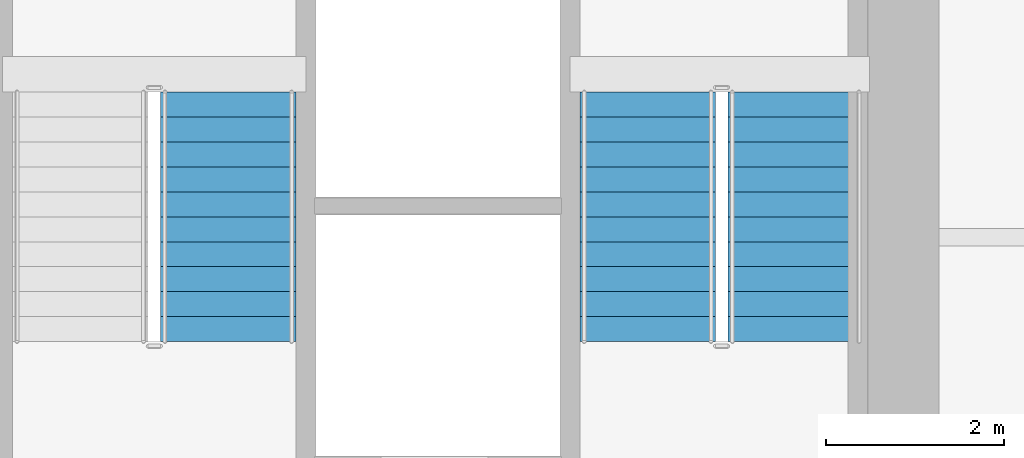
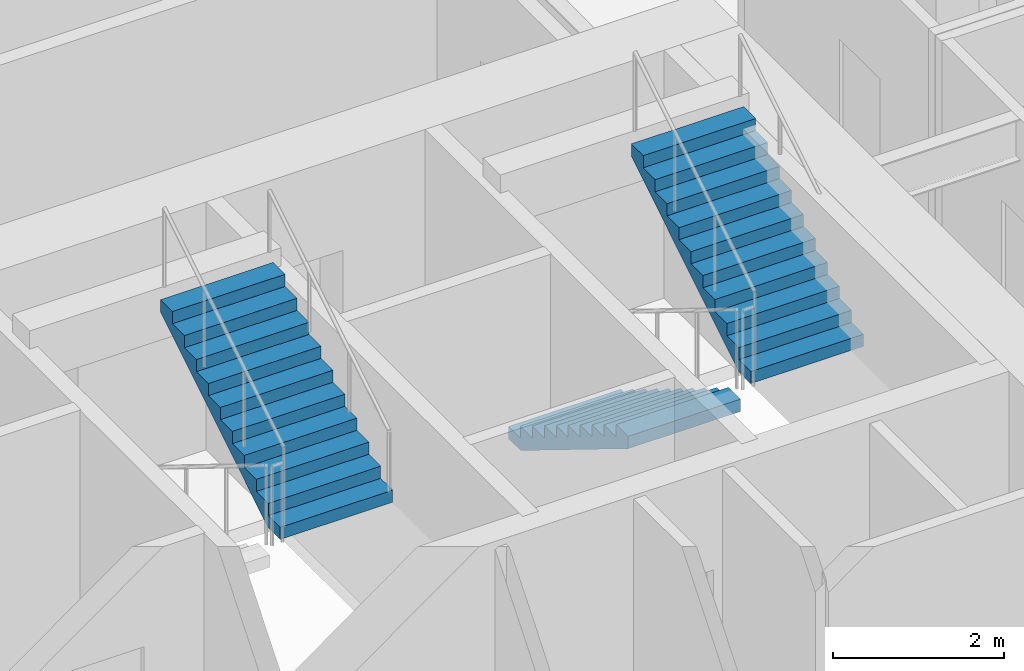
# One storey, part 14 of 19: 3 stair flights, 2 elements without a shape of their own.
"""IFC4 building model written with IfcOpenShell, lengths in metres."""

import ifcopenshell
import ifcopenshell.guid

model = None  # the IFC model being written
_history = None  # IfcOwnerHistory: only IFC2X3 demands one
_inside = {}  # id of a spatial element -> (the spatial element, [elements in it])
_under = {}  # id of a project, library or spatial element -> (it, [spatial elements below it])
_declared = {}  # id of a project -> (the project, [libraries it declares])
_typed = {}  # id of a type object -> (the type object, [elements of that type])
_made_of = {}  # id of a material, layer set ... -> (it, [elements and type objects made of it])


def new_model(schema):
    """Start an empty IFC model of exactly this schema.

    Asked for "IFC4X3", IfcOpenShell would pick the latest addendum, in which some entities
    have other attributes; the version numbers below select the first issue.
    IFC2X3 requires an IfcOwnerHistory on every rooted entity: one is made here for all.
    """
    global model, _history
    if schema == "IFC4X3":
        model = ifcopenshell.file(schema_version=(4, 3, 0, 0))
    else:
        model = ifcopenshell.file(schema=schema)
    _inside.clear()
    _under.clear()
    _declared.clear()
    _typed.clear()
    _made_of.clear()
    _history = None
    if model.schema == "IFC2X3":
        org = make("IfcOrganization", Name="unknown")
        user = make(
            "IfcPersonAndOrganization",
            ThePerson=make("IfcPerson", FamilyName="unknown"),
            TheOrganization=org,
        )
        app = make(
            "IfcApplication",
            ApplicationDeveloper=org,
            Version="unknown",
            ApplicationFullName="unknown",
            ApplicationIdentifier="unknown",
        )
        _history = make(
            "IfcOwnerHistory",
            OwningUser=user,
            OwningApplication=app,
            ChangeAction="ADDED",
            CreationDate=0,
        )
    return model


def make(cls, **values):
    """One entity of the class cls with the attributes given. An attribute that is None is left unset."""
    return model.create_entity(
        cls, **{name: value for name, value in values.items() if value is not None}
    )


def rooted(cls, **values):
    """An entity with a GlobalId (a new one), such as an element, a storey or a relation."""
    return make(cls, GlobalId=ifcopenshell.guid.new(), OwnerHistory=_history, **values)


def si_unit(unit_type, name, prefix=None):
    """IfcSIUnit, for example si_unit("LENGTHUNIT", "METRE", prefix="MILLI")."""
    return make("IfcSIUnit", UnitType=unit_type, Prefix=prefix, Name=name)


def assignment(units):
    """IfcUnitAssignment: the units of a project."""
    return None if units is None else make("IfcUnitAssignment", Units=units)


def point(xyz):
    """IfcCartesianPoint."""
    return None if xyz is None else make("IfcCartesianPoint", Coordinates=xyz)


def direction(xyz):
    """IfcDirection."""
    return None if xyz is None else make("IfcDirection", DirectionRatios=xyz)


def frame(location, z_axis=None, x_axis=None):
    """IfcAxis2Placement3D, a coordinate frame: its origin and axes. An axis left out is left unset."""
    return make(
        "IfcAxis2Placement3D",
        Location=point(location),
        Axis=direction(z_axis),
        RefDirection=direction(x_axis),
    )


def origin():
    """The frame at (0, 0, 0) with its axes left unset."""
    return frame((0.0, 0.0, 0.0))


def place(relative_to, where):
    """IfcLocalPlacement: puts the frame where relative to a parent placement (None: the world)."""
    return make(
        "IfcLocalPlacement", PlacementRelTo=relative_to, RelativePlacement=where
    )


def context(
    kind, dimensions, precision=None, world=None, true_north=None, identifier=None
):
    """IfcGeometricRepresentationContext, for example the 3D "Model" context."""
    return make(
        "IfcGeometricRepresentationContext",
        ContextIdentifier=identifier,
        ContextType=kind,
        CoordinateSpaceDimension=dimensions,
        Precision=precision,
        WorldCoordinateSystem=world,
        TrueNorth=true_north,
    )


def subcontext(parent, identifier, kind, view, scale=None):
    """IfcGeometricRepresentationSubContext, for example "Body" below "Model"."""
    return make(
        "IfcGeometricRepresentationSubContext",
        ContextIdentifier=identifier,
        ContextType=kind,
        ParentContext=parent,
        TargetScale=scale,
        TargetView=view,
    )


def project(units=None, contexts=None):
    """IfcProject with its units and contexts."""
    return rooted(
        "IfcProject",
        Name="project",
        RepresentationContexts=contexts,
        UnitsInContext=assignment(units),
    )


def spatial(cls, under=None, at=None, **own):
    """A site, building, storey or space (cls), placed at a placement, below another one or the project."""
    s = rooted(cls, ObjectPlacement=at, **own)
    if under is not None:
        _under.setdefault(under.id(), (under, []))[1].append(s)
    return s


def polyline(points):
    """IfcPolyline through the points."""
    return make("IfcPolyline", Points=[point(p) for p in points])


def outline(outer, holes=None, kind="AREA"):
    """IfcArbitraryClosedProfileDef: a profile drawn as a closed curve; with holes, ...WithVoids."""
    if holes is None:
        return make("IfcArbitraryClosedProfileDef", ProfileType=kind, OuterCurve=outer)
    return make(
        "IfcArbitraryProfileDefWithVoids",
        ProfileType=kind,
        OuterCurve=outer,
        InnerCurves=holes,
    )


def extrude(swept, where, along, depth):
    """IfcExtrudedAreaSolid: the profile swept, set in the frame where, extruded along a direction by depth."""
    return make(
        "IfcExtrudedAreaSolid",
        SweptArea=swept,
        Position=where,
        ExtrudedDirection=direction(along),
        Depth=depth,
    )


def shape(context_of_items, identifier, shape_type, items):
    """IfcShapeRepresentation: the items that make up one representation, for example the "Body"."""
    return make(
        "IfcShapeRepresentation",
        ContextOfItems=context_of_items,
        RepresentationIdentifier=identifier,
        RepresentationType=shape_type,
        Items=items,
    )


def material(Name=None, Category=None):
    """IfcMaterial."""
    return make("IfcMaterial", Name=Name, Category=Category)


def made_of(thing, what):
    """Note that an element or type object is made of a material, layer set ...; save() writes the relation."""
    if what is not None:
        _made_of.setdefault(what.id(), (what, []))[1].append(thing)
    return thing


def type_object(cls, material=None, **own):
    """A type object (cls), such as IfcWallType, which elements share."""
    return made_of(rooted(cls, **own), material)


def element(
    cls,
    number,
    at=None,
    inside=None,
    cuts=None,
    type_object=None,
    material=None,
    context=None,
    identifier="Body",
    shape_type=None,
    held_by="IfcProductDefinitionShape",
    body=None,
    shapes=None,
    **own,
):
    """One element of the class cls, such as IfcWall. Its Tag is "e" and its number.

    at: its placement. inside: the storey or other place that contains it. cuts: it is an
    opening in that element (IfcRelVoidsElement). A single representation is given by context,
    identifier, shape_type and body (its items); several are given by shapes. held_by: the class
    of the entity that holds the representations. save() writes the other relations.
    """
    e = rooted(cls, Tag="e%d" % number, ObjectPlacement=at, **own)
    if body is not None:
        shapes = [shape(context, identifier, shape_type, body)]
    if shapes is not None:
        e.Representation = make(held_by, Representations=shapes)
    if inside is not None:
        _inside.setdefault(inside.id(), (inside, []))[1].append(e)
    if cuts is not None:
        rooted(
            "IfcRelVoidsElement", RelatingBuildingElement=cuts, RelatedOpeningElement=e
        )
    if type_object is not None:
        _typed.setdefault(type_object.id(), (type_object, []))[1].append(e)
    return made_of(e, material)


def aggregate(whole, parts):
    """IfcRelAggregates: a whole, such as a stair, and the parts it consists of."""
    return rooted("IfcRelAggregates", RelatingObject=whole, RelatedObjects=parts)


def save(model, path):
    """Write the relations noted so far, then the file.

    IfcRelAggregates (storeys below a building ...), IfcRelContainedInSpatialStructure (elements
    in a storey), IfcRelDefinesByType, IfcRelAssociatesMaterial and IfcRelDeclares: one each for
    every whole, place, type object, material and project.
    """
    for whole, parts in _under.values():
        aggregate(whole, parts)
    for where, things in _inside.values():
        rooted(
            "IfcRelContainedInSpatialStructure",
            RelatedElements=things,
            RelatingStructure=where,
        )
    for kind, things in _typed.values():
        rooted("IfcRelDefinesByType", RelatedObjects=things, RelatingType=kind)
    for what, things in _made_of.values():
        rooted("IfcRelAssociatesMaterial", RelatedObjects=things, RelatingMaterial=what)
    for by, libraries in _declared.values():
        rooted("IfcRelDeclares", RelatingContext=by, RelatedDefinitions=libraries)
    model.write(path)


model = new_model("IFC4")

# Units and contexts
model_context = context("Model", 3, precision=1e-05, world=origin(), true_north=direction((0.0, 1.0)))
body_context = subcontext(model_context, "Body", "Model", "MODEL_VIEW")
ifc_project = project(units=[si_unit("LENGTHUNIT", "METRE"), si_unit("AREAUNIT", "SQUARE_METRE"), si_unit("VOLUMEUNIT", "CUBIC_METRE"), si_unit("PLANEANGLEUNIT", "RADIAN"), si_unit("MASSUNIT", "GRAM", prefix="KILO")], contexts=[model_context])

# Site, building, storey
site_placement = place(None, origin())
site = spatial("IfcSite", under=ifc_project, at=site_placement, CompositionType="ELEMENT")
building_placement = place(site_placement, origin())
building = spatial("IfcBuilding", under=site, at=building_placement, Name="Haolan Belvedere Tower", CompositionType="ELEMENT")
storey_placement = place(building_placement, frame((0.0, 0.0, 39.199951171875)))
storey = spatial("IfcBuildingStorey", under=building, at=storey_placement, Name="L09", CompositionType="ELEMENT", Elevation=39.199951171875)

# Stair, stair flight
ifc_material = material(Name="Concrete C40/50", Category="concrete")
stair_type = type_object("IfcStairType", Name="STR-DL-22R-173", PredefinedType="HALF_TURN_STAIR", material=ifc_material)
stair_1_placement = place(storey_placement, origin())
stair_1 = element("IfcStair", 1, at=stair_1_placement, inside=storey, type_object=stair_type, Name="L09 Smokeproof Core Exit Stair ST3", PredefinedType="HALF_TURN_STAIR")
stair_flight_type = type_object("IfcStairFlightType", Name="SFL-DL-11R-173", PredefinedType="STRAIGHT", material=ifc_material)
stair_flight_1_placement = place(storey_placement, frame((39.22998046875, 38.429931640625, 1.900146484375), z_axis=(0.0, 0.0, 1.0), x_axis=(0.0, 1.0, 0.0)))
stair_flight_1 = element("IfcStairFlight", 2, at=stair_flight_1_placement, type_object=stair_flight_type, Name="ST3 flight 2", NumberOfRisers=11, NumberOfTreads=10, PredefinedType="STRAIGHT", RiserHeight=0.172727273, TreadLength=0.28, context=body_context, shape_type="SweptSolid", body=[
    extrude(outline(polyline([(0.0, 0.0), (0.0, 0.172607421875), (0.280029296875, 0.172607421875), (0.280029296875, 0.345458984375), (0.56005859375, 0.345458984375), (0.56005859375, 0.51806640625), (0.840087890625, 0.51806640625), (0.840087890625, 0.69091796875), (1.1201171875, 0.69091796875), (1.1201171875, 0.863525390625), (1.39990234375, 0.863525390625), (1.39990234375, 1.036376953125), (1.679931640625, 1.036376953125), (1.679931640625, 1.208984375), (1.9599609375, 1.208984375), (1.9599609375, 1.3818359375), (2.239990234375, 1.3818359375), (2.239990234375, 1.554443359375), (2.52001953125, 1.554443359375), (2.52001953125, 1.727294921875), (2.800048828125, 1.727294921875), (2.800048828125, 1.89990234375), (2.800048828125, 1.551025390625), (0.285400390625, 0.0), (0.0, 0.0)])), frame((0.0, 0.760009765625, 0.0), z_axis=(0.0, -1.0, 0.0), x_axis=(1.0, 0.0, 0.0)), (0.0, 0.0, 1.0), 1.52001953125),
])
aggregate(stair_1, [stair_flight_1])

# Stair, stair flights
stair_2_placement = place(storey_placement, origin())
stair_2 = element("IfcStair", 3, at=stair_2_placement, inside=storey, type_object=stair_type, Name="L09 Smokeproof Core Exit Stair ST2", PredefinedType="HALF_TURN_STAIR")
stair_flight_2_placement = place(storey_placement, frame((43.929931640625, 41.22998046875, 0.0), z_axis=(0.0, 0.0, 1.0), x_axis=(0.0, -1.0, 0.0)))
stair_flight_2 = element("IfcStairFlight", 4, at=stair_flight_2_placement, type_object=stair_flight_type, Name="ST2 flight 1", NumberOfRisers=11, NumberOfTreads=10, PredefinedType="STRAIGHT", RiserHeight=0.172727273, TreadLength=0.28, context=body_context, shape_type="SweptSolid", body=[
    extrude(outline(polyline([(0.0, 0.0), (0.0, 0.172607421875), (0.280029296875, 0.172607421875), (0.280029296875, 0.345458984375), (0.56005859375, 0.345458984375), (0.56005859375, 0.51806640625), (0.840087890625, 0.51806640625), (0.840087890625, 0.69091796875), (1.1201171875, 0.69091796875), (1.1201171875, 0.863525390625), (1.39990234375, 0.863525390625), (1.39990234375, 1.036376953125), (1.679931640625, 1.036376953125), (1.679931640625, 1.208984375), (1.9599609375, 1.208984375), (1.9599609375, 1.3818359375), (2.239990234375, 1.3818359375), (2.239990234375, 1.554443359375), (2.52001953125, 1.554443359375), (2.52001953125, 1.727294921875), (2.800048828125, 1.727294921875), (2.800048828125, 1.89990234375), (2.800048828125, 1.551025390625), (0.285400390625, 0.0), (0.0, 0.0)])), frame((0.0, 0.760009765625, 0.0), z_axis=(0.0, -1.0, 0.0), x_axis=(1.0, 0.0, 0.0)), (0.0, 0.0, 1.0), 1.52001953125),
])
stair_flight_3_placement = place(storey_placement, frame((45.590087890625, 38.429931640625, 1.900146484375), z_axis=(0.0, 0.0, 1.0), x_axis=(0.0, 1.0, 0.0)))
stair_flight_3 = element("IfcStairFlight", 5, at=stair_flight_3_placement, type_object=stair_flight_type, Name="ST2 flight 2", NumberOfRisers=11, NumberOfTreads=10, PredefinedType="STRAIGHT", RiserHeight=0.172727273, TreadLength=0.28, context=body_context, shape_type="SweptSolid", body=[
    extrude(outline(polyline([(0.0, 0.0), (0.0, 0.172607421875), (0.280029296875, 0.172607421875), (0.280029296875, 0.345458984375), (0.56005859375, 0.345458984375), (0.56005859375, 0.51806640625), (0.840087890625, 0.51806640625), (0.840087890625, 0.69091796875), (1.1201171875, 0.69091796875), (1.1201171875, 0.863525390625), (1.39990234375, 0.863525390625), (1.39990234375, 1.036376953125), (1.679931640625, 1.036376953125), (1.679931640625, 1.208984375), (1.9599609375, 1.208984375), (1.9599609375, 1.3818359375), (2.239990234375, 1.3818359375), (2.239990234375, 1.554443359375), (2.52001953125, 1.554443359375), (2.52001953125, 1.727294921875), (2.800048828125, 1.727294921875), (2.800048828125, 1.89990234375), (2.800048828125, 1.551025390625), (0.285400390625, 0.0), (0.0, 0.0)])), frame((0.0, 0.760009765625, 0.0), z_axis=(0.0, -1.0, 0.0), x_axis=(1.0, 0.0, 0.0)), (0.0, 0.0, 1.0), 1.52001953125),
])
aggregate(stair_2, [stair_flight_2, stair_flight_3])

save(model, "model.ifc")
